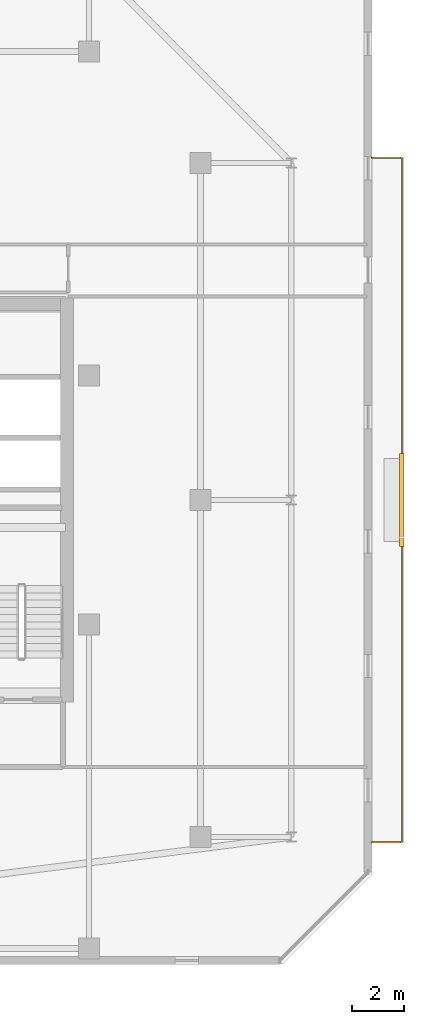
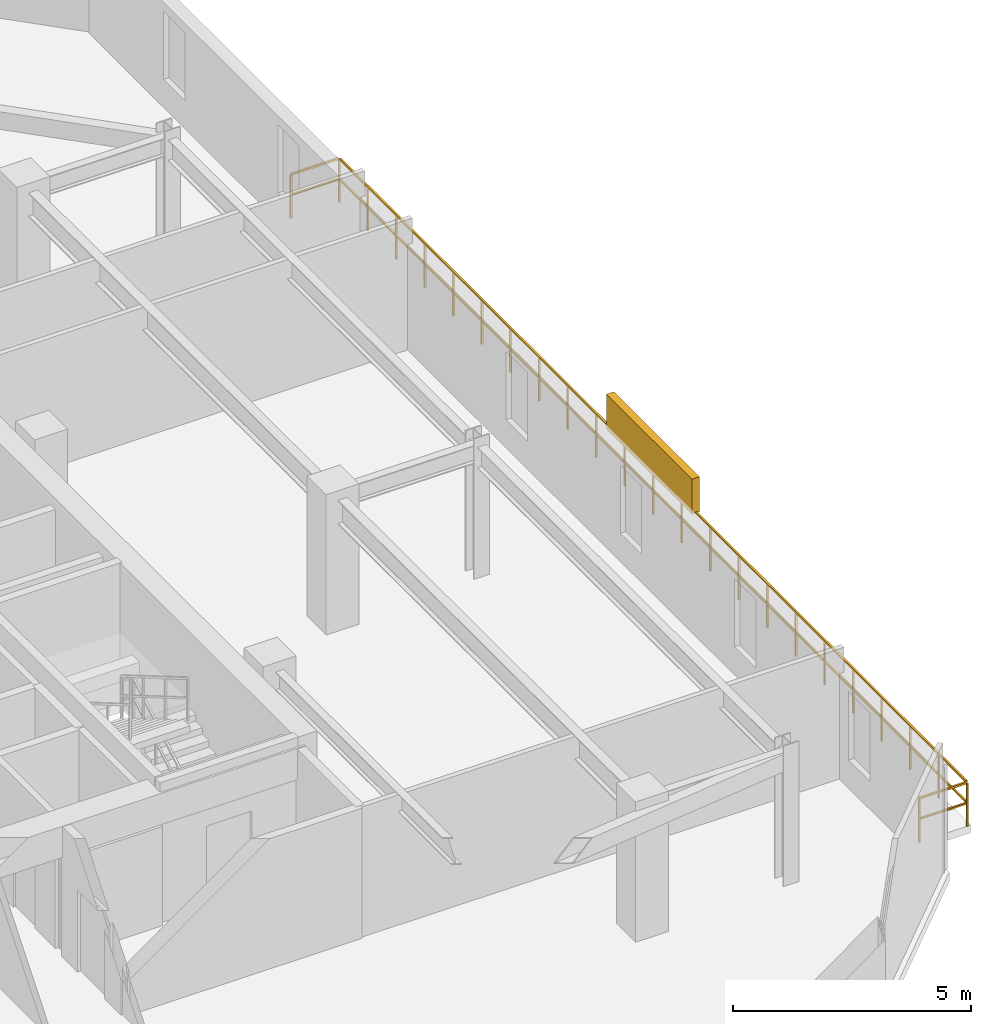
# One storey, part 35 of 35: 1 railing, 1 shading device.
"""IFC4 building model written with IfcOpenShell, lengths in metres."""

import ifcopenshell
import ifcopenshell.guid

model = None  # the IFC model being written
_history = None  # IfcOwnerHistory: only IFC2X3 demands one
_inside = {}  # id of a spatial element -> (the spatial element, [elements in it])
_under = {}  # id of a project, library or spatial element -> (it, [spatial elements below it])
_declared = {}  # id of a project -> (the project, [libraries it declares])
_typed = {}  # id of a type object -> (the type object, [elements of that type])
_made_of = {}  # id of a material, layer set ... -> (it, [elements and type objects made of it])


def new_model(schema):
    """Start an empty IFC model of exactly this schema.

    Asked for "IFC4X3", IfcOpenShell would pick the latest addendum, in which some entities
    have other attributes; the version numbers below select the first issue.
    IFC2X3 requires an IfcOwnerHistory on every rooted entity: one is made here for all.
    """
    global model, _history
    if schema == "IFC4X3":
        model = ifcopenshell.file(schema_version=(4, 3, 0, 0))
    else:
        model = ifcopenshell.file(schema=schema)
    _inside.clear()
    _under.clear()
    _declared.clear()
    _typed.clear()
    _made_of.clear()
    _history = None
    if model.schema == "IFC2X3":
        org = make("IfcOrganization", Name="unknown")
        user = make(
            "IfcPersonAndOrganization",
            ThePerson=make("IfcPerson", FamilyName="unknown"),
            TheOrganization=org,
        )
        app = make(
            "IfcApplication",
            ApplicationDeveloper=org,
            Version="unknown",
            ApplicationFullName="unknown",
            ApplicationIdentifier="unknown",
        )
        _history = make(
            "IfcOwnerHistory",
            OwningUser=user,
            OwningApplication=app,
            ChangeAction="ADDED",
            CreationDate=0,
        )
    return model


def make(cls, **values):
    """One entity of the class cls with the attributes given. An attribute that is None is left unset."""
    return model.create_entity(
        cls, **{name: value for name, value in values.items() if value is not None}
    )


def rooted(cls, **values):
    """An entity with a GlobalId (a new one), such as an element, a storey or a relation."""
    return make(cls, GlobalId=ifcopenshell.guid.new(), OwnerHistory=_history, **values)


def si_unit(unit_type, name, prefix=None):
    """IfcSIUnit, for example si_unit("LENGTHUNIT", "METRE", prefix="MILLI")."""
    return make("IfcSIUnit", UnitType=unit_type, Prefix=prefix, Name=name)


def assignment(units):
    """IfcUnitAssignment: the units of a project."""
    return None if units is None else make("IfcUnitAssignment", Units=units)


def point(xyz):
    """IfcCartesianPoint."""
    return None if xyz is None else make("IfcCartesianPoint", Coordinates=xyz)


def direction(xyz):
    """IfcDirection."""
    return None if xyz is None else make("IfcDirection", DirectionRatios=xyz)


def frame(location, z_axis=None, x_axis=None):
    """IfcAxis2Placement3D, a coordinate frame: its origin and axes. An axis left out is left unset."""
    return make(
        "IfcAxis2Placement3D",
        Location=point(location),
        Axis=direction(z_axis),
        RefDirection=direction(x_axis),
    )


def frame_2d(location, x_axis=None):
    """IfcAxis2Placement2D, a coordinate frame in the plane: its origin and x axis."""
    return make(
        "IfcAxis2Placement2D", Location=point(location), RefDirection=direction(x_axis)
    )


def origin():
    """The frame at (0, 0, 0) with its axes left unset."""
    return frame((0.0, 0.0, 0.0))


def origin_2d():
    """The frame at (0, 0) in the plane with its x axis left unset."""
    return frame_2d((0.0, 0.0))


def place(relative_to, where):
    """IfcLocalPlacement: puts the frame where relative to a parent placement (None: the world)."""
    return make(
        "IfcLocalPlacement", PlacementRelTo=relative_to, RelativePlacement=where
    )


def context(
    kind, dimensions, precision=None, world=None, true_north=None, identifier=None
):
    """IfcGeometricRepresentationContext, for example the 3D "Model" context."""
    return make(
        "IfcGeometricRepresentationContext",
        ContextIdentifier=identifier,
        ContextType=kind,
        CoordinateSpaceDimension=dimensions,
        Precision=precision,
        WorldCoordinateSystem=world,
        TrueNorth=true_north,
    )


def subcontext(parent, identifier, kind, view, scale=None):
    """IfcGeometricRepresentationSubContext, for example "Body" below "Model"."""
    return make(
        "IfcGeometricRepresentationSubContext",
        ContextIdentifier=identifier,
        ContextType=kind,
        ParentContext=parent,
        TargetScale=scale,
        TargetView=view,
    )


def project(units=None, contexts=None):
    """IfcProject with its units and contexts."""
    return rooted(
        "IfcProject",
        Name="project",
        RepresentationContexts=contexts,
        UnitsInContext=assignment(units),
    )


def spatial(cls, under=None, at=None, **own):
    """A site, building, storey or space (cls), placed at a placement, below another one or the project."""
    s = rooted(cls, ObjectPlacement=at, **own)
    if under is not None:
        _under.setdefault(under.id(), (under, []))[1].append(s)
    return s


def profile(cls, at=None, kind="AREA", **sizes):
    """A parametric profile (cls). Its sizes go by their IFC names, for example OverallWidth=200.0."""
    return make(cls, ProfileType=kind, Position=at, **sizes)


def rectangle(**sizes):
    """IfcRectangleProfileDef."""
    return profile("IfcRectangleProfileDef", **sizes)


def extrude(swept, where, along, depth):
    """IfcExtrudedAreaSolid: the profile swept, set in the frame where, extruded along a direction by depth."""
    return make(
        "IfcExtrudedAreaSolid",
        SweptArea=swept,
        Position=where,
        ExtrudedDirection=direction(along),
        Depth=depth,
    )


def shape(context_of_items, identifier, shape_type, items):
    """IfcShapeRepresentation: the items that make up one representation, for example the "Body"."""
    return make(
        "IfcShapeRepresentation",
        ContextOfItems=context_of_items,
        RepresentationIdentifier=identifier,
        RepresentationType=shape_type,
        Items=items,
    )


def material(Name=None, Category=None):
    """IfcMaterial."""
    return make("IfcMaterial", Name=Name, Category=Category)


def made_of(thing, what):
    """Note that an element or type object is made of a material, layer set ...; save() writes the relation."""
    if what is not None:
        _made_of.setdefault(what.id(), (what, []))[1].append(thing)
    return thing


def type_object(cls, material=None, **own):
    """A type object (cls), such as IfcWallType, which elements share."""
    return made_of(rooted(cls, **own), material)


def element(
    cls,
    number,
    at=None,
    inside=None,
    cuts=None,
    type_object=None,
    material=None,
    context=None,
    identifier="Body",
    shape_type=None,
    held_by="IfcProductDefinitionShape",
    body=None,
    shapes=None,
    **own,
):
    """One element of the class cls, such as IfcWall. Its Tag is "e" and its number.

    at: its placement. inside: the storey or other place that contains it. cuts: it is an
    opening in that element (IfcRelVoidsElement). A single representation is given by context,
    identifier, shape_type and body (its items); several are given by shapes. held_by: the class
    of the entity that holds the representations. save() writes the other relations.
    """
    e = rooted(cls, Tag="e%d" % number, ObjectPlacement=at, **own)
    if body is not None:
        shapes = [shape(context, identifier, shape_type, body)]
    if shapes is not None:
        e.Representation = make(held_by, Representations=shapes)
    if inside is not None:
        _inside.setdefault(inside.id(), (inside, []))[1].append(e)
    if cuts is not None:
        rooted(
            "IfcRelVoidsElement", RelatingBuildingElement=cuts, RelatedOpeningElement=e
        )
    if type_object is not None:
        _typed.setdefault(type_object.id(), (type_object, []))[1].append(e)
    return made_of(e, material)


def aggregate(whole, parts):
    """IfcRelAggregates: a whole, such as a stair, and the parts it consists of."""
    return rooted("IfcRelAggregates", RelatingObject=whole, RelatedObjects=parts)


def save(model, path):
    """Write the relations noted so far, then the file.

    IfcRelAggregates (storeys below a building ...), IfcRelContainedInSpatialStructure (elements
    in a storey), IfcRelDefinesByType, IfcRelAssociatesMaterial and IfcRelDeclares: one each for
    every whole, place, type object, material and project.
    """
    for whole, parts in _under.values():
        aggregate(whole, parts)
    for where, things in _inside.values():
        rooted(
            "IfcRelContainedInSpatialStructure",
            RelatedElements=things,
            RelatingStructure=where,
        )
    for kind, things in _typed.values():
        rooted("IfcRelDefinesByType", RelatedObjects=things, RelatingType=kind)
    for what, things in _made_of.values():
        rooted("IfcRelAssociatesMaterial", RelatedObjects=things, RelatingMaterial=what)
    for by, libraries in _declared.values():
        rooted("IfcRelDeclares", RelatingContext=by, RelatedDefinitions=libraries)
    model.write(path)


model = new_model("IFC4")

# Units and contexts
model_context = context("Model", 3, precision=1e-05, world=origin(), true_north=direction((0.0, 1.0)))
body_context = subcontext(model_context, "Body", "Model", "MODEL_VIEW")
ifc_project = project(units=[si_unit("LENGTHUNIT", "METRE"), si_unit("AREAUNIT", "SQUARE_METRE"), si_unit("VOLUMEUNIT", "CUBIC_METRE"), si_unit("PLANEANGLEUNIT", "RADIAN"), si_unit("MASSUNIT", "GRAM", prefix="KILO")], contexts=[model_context])

# Site, building, storey
site_placement = place(None, origin())
site = spatial("IfcSite", under=ifc_project, at=site_placement, CompositionType="ELEMENT")
building_placement = place(site_placement, origin())
building = spatial("IfcBuilding", under=site, at=building_placement, Name="Thornwick Lancets Civic Towers", CompositionType="ELEMENT")
storey_placement = place(building_placement, frame((0.0, 0.0, 265.5)))
storey = spatial("IfcBuildingStorey", under=building, at=storey_placement, Name="L71", CompositionType="ELEMENT", Elevation=265.5)

# Railing
ifc_material_1 = material(Name="Terracotta-capped laminated glass balustrade S355", Category="masonry")
railing_type = type_object("IfcRailingType", Name="RAIL_TERR_GUARD", PredefinedType="GUARDRAIL", material=ifc_material_1)
railing_placement = place(storey_placement, frame((112.39990234375, 13.800048828125, 0.0)))
element("IfcRailing", 1, at=railing_placement, inside=storey, type_object=railing_type, Name="L71 Tower B Balcony Guard E", PredefinedType="GUARDRAIL", context=body_context, shape_type="SweptSolid", body=[
    extrude(rectangle(XDim=0.048095703125, YDim=0.048095703125, at=origin_2d()), frame((0.0, 0.0, 1.1259765625), z_axis=(1.0, 0.0, 0.0), x_axis=(0.0, 1.0, 0.0)), (0.0, 0.0, 1.0), 1.138916015625),
    extrude(rectangle(XDim=0.0419921875, YDim=0.0419921875, at=origin_2d()), frame((0.03759765625, 0.0, 0.597900390625), z_axis=(1.0, 0.0, 0.0), x_axis=(0.0, 1.0, 0.0)), (0.0, 0.0, 1.0), 1.09521484375),
    extrude(rectangle(XDim=0.048095703125, YDim=0.048095703125, at=origin_2d()), frame((1.170166015625, 0.03125, 1.1259765625), z_axis=(0.0, 1.0, 0.0), x_axis=(-1.0, 0.0, 0.0)), (0.0, 0.0, 1.0), 26.33740234375),
    extrude(rectangle(XDim=0.0419921875, YDim=0.0419921875, at=origin_2d()), frame((1.170166015625, 0.03759765625, 0.597900390625), z_axis=(0.0, 1.0, 0.0), x_axis=(-1.0, 0.0, 0.0)), (0.0, 0.0, 1.0), 1.125),
    extrude(rectangle(XDim=0.0419921875, YDim=0.0419921875, at=origin_2d()), frame((1.170166015625, 1.237548828125, 0.597900390625), z_axis=(0.0, 1.0, 0.0), x_axis=(-1.0, 0.0, 0.0)), (0.0, 0.0, 1.0), 1.125),
    extrude(rectangle(XDim=0.0419921875, YDim=0.0419921875, at=origin_2d()), frame((1.170166015625, 2.4375, 0.597900390625), z_axis=(0.0, 1.0, 0.0), x_axis=(-1.0, 0.0, 0.0)), (0.0, 0.0, 1.0), 1.125),
    extrude(rectangle(XDim=0.0419921875, YDim=0.0419921875, at=origin_2d()), frame((1.170166015625, 3.637451171875, 0.597900390625), z_axis=(0.0, 1.0, 0.0), x_axis=(-1.0, 0.0, 0.0)), (0.0, 0.0, 1.0), 1.125),
    extrude(rectangle(XDim=0.0419921875, YDim=0.0419921875, at=origin_2d()), frame((1.170166015625, 4.83740234375, 0.597900390625), z_axis=(0.0, 1.0, 0.0), x_axis=(-1.0, 0.0, 0.0)), (0.0, 0.0, 1.0), 1.125),
    extrude(rectangle(XDim=0.0419921875, YDim=0.0419921875, at=origin_2d()), frame((1.170166015625, 6.037353515625, 0.597900390625), z_axis=(0.0, 1.0, 0.0), x_axis=(-1.0, 0.0, 0.0)), (0.0, 0.0, 1.0), 1.125),
    extrude(rectangle(XDim=0.0419921875, YDim=0.0419921875, at=origin_2d()), frame((1.170166015625, 7.237548828125, 0.597900390625), z_axis=(0.0, 1.0, 0.0), x_axis=(-1.0, 0.0, 0.0)), (0.0, 0.0, 1.0), 1.125),
    extrude(rectangle(XDim=0.0419921875, YDim=0.0419921875, at=origin_2d()), frame((1.170166015625, 8.4375, 0.597900390625), z_axis=(0.0, 1.0, 0.0), x_axis=(-1.0, 0.0, 0.0)), (0.0, 0.0, 1.0), 1.125),
    extrude(rectangle(XDim=0.0419921875, YDim=0.0419921875, at=origin_2d()), frame((1.170166015625, 9.637451171875, 0.597900390625), z_axis=(0.0, 1.0, 0.0), x_axis=(-1.0, 0.0, 0.0)), (0.0, 0.0, 1.0), 1.125),
    extrude(rectangle(XDim=0.0419921875, YDim=0.0419921875, at=origin_2d()), frame((1.170166015625, 10.83740234375, 0.597900390625), z_axis=(0.0, 1.0, 0.0), x_axis=(-1.0, 0.0, 0.0)), (0.0, 0.0, 1.0), 1.125),
    extrude(rectangle(XDim=0.0419921875, YDim=0.0419921875, at=origin_2d()), frame((1.170166015625, 12.037353515625, 0.597900390625), z_axis=(0.0, 1.0, 0.0), x_axis=(-1.0, 0.0, 0.0)), (0.0, 0.0, 1.0), 1.125),
    extrude(rectangle(XDim=0.0419921875, YDim=0.0419921875, at=origin_2d()), frame((1.170166015625, 13.237548828125, 0.597900390625), z_axis=(0.0, 1.0, 0.0), x_axis=(-1.0, 0.0, 0.0)), (0.0, 0.0, 1.0), 1.125),
    extrude(rectangle(XDim=0.0419921875, YDim=0.0419921875, at=origin_2d()), frame((1.170166015625, 14.4375, 0.597900390625), z_axis=(0.0, 1.0, 0.0), x_axis=(-1.0, 0.0, 0.0)), (0.0, 0.0, 1.0), 1.125),
    extrude(rectangle(XDim=0.0419921875, YDim=0.0419921875, at=origin_2d()), frame((1.170166015625, 15.637451171875, 0.597900390625), z_axis=(0.0, 1.0, 0.0), x_axis=(-1.0, 0.0, 0.0)), (0.0, 0.0, 1.0), 1.125),
    extrude(rectangle(XDim=0.0419921875, YDim=0.0419921875, at=origin_2d()), frame((1.170166015625, 16.83740234375, 0.597900390625), z_axis=(0.0, 1.0, 0.0), x_axis=(-1.0, 0.0, 0.0)), (0.0, 0.0, 1.0), 1.125),
    extrude(rectangle(XDim=0.0419921875, YDim=0.0419921875, at=origin_2d()), frame((1.170166015625, 18.037353515625, 0.597900390625), z_axis=(0.0, 1.0, 0.0), x_axis=(-1.0, 0.0, 0.0)), (0.0, 0.0, 1.0), 1.125),
    extrude(rectangle(XDim=0.0419921875, YDim=0.0419921875, at=origin_2d()), frame((1.170166015625, 19.2373046875, 0.597900390625), z_axis=(0.0, 1.0, 0.0), x_axis=(-1.0, 0.0, 0.0)), (0.0, 0.0, 1.0), 1.125),
    extrude(rectangle(XDim=0.0419921875, YDim=0.0419921875, at=origin_2d()), frame((1.170166015625, 20.4375, 0.597900390625), z_axis=(0.0, 1.0, 0.0), x_axis=(-1.0, 0.0, 0.0)), (0.0, 0.0, 1.0), 1.125),
    extrude(rectangle(XDim=0.0419921875, YDim=0.0419921875, at=origin_2d()), frame((1.170166015625, 21.637451171875, 0.597900390625), z_axis=(0.0, 1.0, 0.0), x_axis=(-1.0, 0.0, 0.0)), (0.0, 0.0, 1.0), 1.125),
    extrude(rectangle(XDim=0.0419921875, YDim=0.0419921875, at=origin_2d()), frame((1.170166015625, 22.83740234375, 0.597900390625), z_axis=(0.0, 1.0, 0.0), x_axis=(-1.0, 0.0, 0.0)), (0.0, 0.0, 1.0), 1.125),
    extrude(rectangle(XDim=0.0419921875, YDim=0.0419921875, at=origin_2d()), frame((1.170166015625, 24.037353515625, 0.597900390625), z_axis=(0.0, 1.0, 0.0), x_axis=(-1.0, 0.0, 0.0)), (0.0, 0.0, 1.0), 1.125),
    extrude(rectangle(XDim=0.0419921875, YDim=0.0419921875, at=origin_2d()), frame((1.170166015625, 25.2373046875, 0.597900390625), z_axis=(0.0, 1.0, 0.0), x_axis=(-1.0, 0.0, 0.0)), (0.0, 0.0, 1.0), 1.125),
    extrude(rectangle(XDim=0.048095703125, YDim=0.048095703125, at=origin_2d()), frame((1.138916015625, 26.39990234375, 1.1259765625), z_axis=(-1.0, 0.0, 0.0), x_axis=(0.0, -1.0, 0.0)), (0.0, 0.0, 1.0), 1.138916015625),
    extrude(rectangle(XDim=0.0419921875, YDim=0.0419921875, at=origin_2d()), frame((1.132568359375, 26.39990234375, 0.597900390625), z_axis=(-1.0, 0.0, 0.0), x_axis=(0.0, -1.0, 0.0)), (0.0, 0.0, 1.0), 1.09521484375),
    extrude(rectangle(XDim=0.0419921875, YDim=0.0419921875, at=origin_2d()), origin(), (0.0, 0.0, 1.0), 1.095703125),
    extrude(rectangle(XDim=0.0419921875, YDim=0.0419921875, at=origin_2d()), frame((1.170166015625, 0.0, 0.0)), (0.0, 0.0, 1.0), 1.095703125),
    extrude(rectangle(XDim=0.0419921875, YDim=0.0419921875, at=origin_2d()), frame((1.170166015625, 1.199951171875, 0.0)), (0.0, 0.0, 1.0), 1.095703125),
    extrude(rectangle(XDim=0.0419921875, YDim=0.0419921875, at=origin_2d()), frame((1.170166015625, 2.39990234375, 0.0)), (0.0, 0.0, 1.0), 1.095703125),
    extrude(rectangle(XDim=0.0419921875, YDim=0.0419921875, at=origin_2d()), frame((1.170166015625, 3.60009765625, 0.0)), (0.0, 0.0, 1.0), 1.095703125),
    extrude(rectangle(XDim=0.0419921875, YDim=0.0419921875, at=origin_2d()), frame((1.170166015625, 4.800048828125, 0.0)), (0.0, 0.0, 1.0), 1.095703125),
    extrude(rectangle(XDim=0.0419921875, YDim=0.0419921875, at=origin_2d()), frame((1.170166015625, 6.0, 0.0)), (0.0, 0.0, 1.0), 1.095703125),
    extrude(rectangle(XDim=0.0419921875, YDim=0.0419921875, at=origin_2d()), frame((1.170166015625, 7.199951171875, 0.0)), (0.0, 0.0, 1.0), 1.095703125),
    extrude(rectangle(XDim=0.0419921875, YDim=0.0419921875, at=origin_2d()), frame((1.170166015625, 8.39990234375, 0.0)), (0.0, 0.0, 1.0), 1.095703125),
    extrude(rectangle(XDim=0.0419921875, YDim=0.0419921875, at=origin_2d()), frame((1.170166015625, 9.599853515625, 0.0)), (0.0, 0.0, 1.0), 1.095703125),
    extrude(rectangle(XDim=0.0419921875, YDim=0.0419921875, at=origin_2d()), frame((1.170166015625, 10.800048828125, 0.0)), (0.0, 0.0, 1.0), 1.095703125),
    extrude(rectangle(XDim=0.0419921875, YDim=0.0419921875, at=origin_2d()), frame((1.170166015625, 12.0, 0.0)), (0.0, 0.0, 1.0), 1.095703125),
    extrude(rectangle(XDim=0.0419921875, YDim=0.0419921875, at=origin_2d()), frame((1.170166015625, 13.199951171875, 0.0)), (0.0, 0.0, 1.0), 1.095703125),
    extrude(rectangle(XDim=0.0419921875, YDim=0.0419921875, at=origin_2d()), frame((1.170166015625, 14.39990234375, 0.0)), (0.0, 0.0, 1.0), 1.095703125),
    extrude(rectangle(XDim=0.0419921875, YDim=0.0419921875, at=origin_2d()), frame((1.170166015625, 15.599853515625, 0.0)), (0.0, 0.0, 1.0), 1.095703125),
    extrude(rectangle(XDim=0.0419921875, YDim=0.0419921875, at=origin_2d()), frame((1.170166015625, 16.800048828125, 0.0)), (0.0, 0.0, 1.0), 1.095703125),
    extrude(rectangle(XDim=0.0419921875, YDim=0.0419921875, at=origin_2d()), frame((1.170166015625, 18.0, 0.0)), (0.0, 0.0, 1.0), 1.095703125),
    extrude(rectangle(XDim=0.0419921875, YDim=0.0419921875, at=origin_2d()), frame((1.170166015625, 19.199951171875, 0.0)), (0.0, 0.0, 1.0), 1.095703125),
    extrude(rectangle(XDim=0.0419921875, YDim=0.0419921875, at=origin_2d()), frame((1.170166015625, 20.39990234375, 0.0)), (0.0, 0.0, 1.0), 1.095703125),
    extrude(rectangle(XDim=0.0419921875, YDim=0.0419921875, at=origin_2d()), frame((1.170166015625, 21.599853515625, 0.0)), (0.0, 0.0, 1.0), 1.095703125),
    extrude(rectangle(XDim=0.0419921875, YDim=0.0419921875, at=origin_2d()), frame((1.170166015625, 22.7998046875, 0.0)), (0.0, 0.0, 1.0), 1.095703125),
    extrude(rectangle(XDim=0.0419921875, YDim=0.0419921875, at=origin_2d()), frame((1.170166015625, 24.0, 0.0)), (0.0, 0.0, 1.0), 1.095703125),
    extrude(rectangle(XDim=0.0419921875, YDim=0.0419921875, at=origin_2d()), frame((1.170166015625, 25.199951171875, 0.0)), (0.0, 0.0, 1.0), 1.095703125),
    extrude(rectangle(XDim=0.0419921875, YDim=0.0419921875, at=origin_2d()), frame((1.170166015625, 26.39990234375, 0.0)), (0.0, 0.0, 1.0), 1.095703125),
    extrude(rectangle(XDim=0.0419921875, YDim=0.0419921875, at=origin_2d()), frame((0.0, 26.39990234375, 0.0)), (0.0, 0.0, 1.0), 1.095703125),
])

# Shading device
ifc_material_2 = material(Name="Extruded terracotta baguette solar screen", Category="masonry")
shading_device_type = type_object("IfcShadingDeviceType", Name="SHADE_BAGUETTE", PredefinedType="JALOUSIE", material=ifc_material_2)
shading_device_placement = place(storey_placement, frame((113.56005859375, 27.0, 1.1201171875), z_axis=(0.0, 0.0, 1.0), x_axis=(0.0, 1.0, 0.0)))
element("IfcShadingDevice", 2, at=shading_device_placement, inside=storey, type_object=shading_device_type, Name="L71 Tower B Terracotta Baguette Screen E", PredefinedType="JALOUSIE", context=body_context, shape_type="SweptSolid", body=[
    extrude(rectangle(XDim=3.60009765625, YDim=0.179931640625, at=origin_2d()), origin(), (0.0, 0.0, 1.0), 0.89990234375),
])

save(model, "model.ifc")
